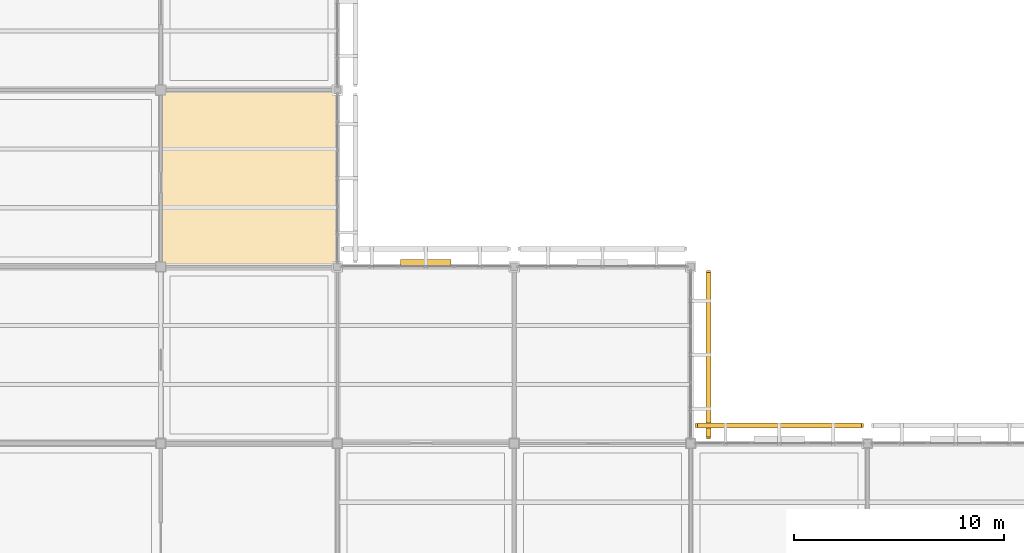
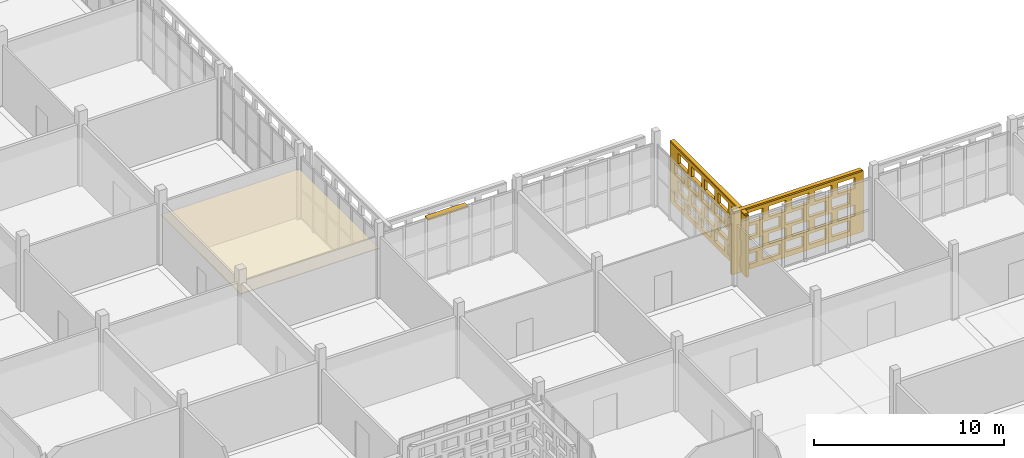
# One storey, part 146 of 203: 3 coverings, 3 shading devices, 40 openings.
"""IFC4 building model written with IfcOpenShell, lengths in metres."""

import ifcopenshell
import ifcopenshell.guid

model = None  # the IFC model being written
_history = None  # IfcOwnerHistory: only IFC2X3 demands one
_inside = {}  # id of a spatial element -> (the spatial element, [elements in it])
_under = {}  # id of a project, library or spatial element -> (it, [spatial elements below it])
_declared = {}  # id of a project -> (the project, [libraries it declares])
_typed = {}  # id of a type object -> (the type object, [elements of that type])
_made_of = {}  # id of a material, layer set ... -> (it, [elements and type objects made of it])


def new_model(schema):
    """Start an empty IFC model of exactly this schema.

    Asked for "IFC4X3", IfcOpenShell would pick the latest addendum, in which some entities
    have other attributes; the version numbers below select the first issue.
    IFC2X3 requires an IfcOwnerHistory on every rooted entity: one is made here for all.
    """
    global model, _history
    if schema == "IFC4X3":
        model = ifcopenshell.file(schema_version=(4, 3, 0, 0))
    else:
        model = ifcopenshell.file(schema=schema)
    _inside.clear()
    _under.clear()
    _declared.clear()
    _typed.clear()
    _made_of.clear()
    _history = None
    if model.schema == "IFC2X3":
        org = make("IfcOrganization", Name="unknown")
        user = make(
            "IfcPersonAndOrganization",
            ThePerson=make("IfcPerson", FamilyName="unknown"),
            TheOrganization=org,
        )
        app = make(
            "IfcApplication",
            ApplicationDeveloper=org,
            Version="unknown",
            ApplicationFullName="unknown",
            ApplicationIdentifier="unknown",
        )
        _history = make(
            "IfcOwnerHistory",
            OwningUser=user,
            OwningApplication=app,
            ChangeAction="ADDED",
            CreationDate=0,
        )
    return model


def make(cls, **values):
    """One entity of the class cls with the attributes given. An attribute that is None is left unset."""
    return model.create_entity(
        cls, **{name: value for name, value in values.items() if value is not None}
    )


def rooted(cls, **values):
    """An entity with a GlobalId (a new one), such as an element, a storey or a relation."""
    return make(cls, GlobalId=ifcopenshell.guid.new(), OwnerHistory=_history, **values)


def si_unit(unit_type, name, prefix=None):
    """IfcSIUnit, for example si_unit("LENGTHUNIT", "METRE", prefix="MILLI")."""
    return make("IfcSIUnit", UnitType=unit_type, Prefix=prefix, Name=name)


def assignment(units):
    """IfcUnitAssignment: the units of a project."""
    return None if units is None else make("IfcUnitAssignment", Units=units)


def point(xyz):
    """IfcCartesianPoint."""
    return None if xyz is None else make("IfcCartesianPoint", Coordinates=xyz)


def direction(xyz):
    """IfcDirection."""
    return None if xyz is None else make("IfcDirection", DirectionRatios=xyz)


def frame(location, z_axis=None, x_axis=None):
    """IfcAxis2Placement3D, a coordinate frame: its origin and axes. An axis left out is left unset."""
    return make(
        "IfcAxis2Placement3D",
        Location=point(location),
        Axis=direction(z_axis),
        RefDirection=direction(x_axis),
    )


def frame_2d(location, x_axis=None):
    """IfcAxis2Placement2D, a coordinate frame in the plane: its origin and x axis."""
    return make(
        "IfcAxis2Placement2D", Location=point(location), RefDirection=direction(x_axis)
    )


def origin():
    """The frame at (0, 0, 0) with its axes left unset."""
    return frame((0.0, 0.0, 0.0))


def origin_2d():
    """The frame at (0, 0) in the plane with its x axis left unset."""
    return frame_2d((0.0, 0.0))


def place(relative_to, where):
    """IfcLocalPlacement: puts the frame where relative to a parent placement (None: the world)."""
    return make(
        "IfcLocalPlacement", PlacementRelTo=relative_to, RelativePlacement=where
    )


def context(
    kind, dimensions, precision=None, world=None, true_north=None, identifier=None
):
    """IfcGeometricRepresentationContext, for example the 3D "Model" context."""
    return make(
        "IfcGeometricRepresentationContext",
        ContextIdentifier=identifier,
        ContextType=kind,
        CoordinateSpaceDimension=dimensions,
        Precision=precision,
        WorldCoordinateSystem=world,
        TrueNorth=true_north,
    )


def subcontext(parent, identifier, kind, view, scale=None):
    """IfcGeometricRepresentationSubContext, for example "Body" below "Model"."""
    return make(
        "IfcGeometricRepresentationSubContext",
        ContextIdentifier=identifier,
        ContextType=kind,
        ParentContext=parent,
        TargetScale=scale,
        TargetView=view,
    )


def project(units=None, contexts=None):
    """IfcProject with its units and contexts."""
    return rooted(
        "IfcProject",
        Name="project",
        RepresentationContexts=contexts,
        UnitsInContext=assignment(units),
    )


def spatial(cls, under=None, at=None, **own):
    """A site, building, storey or space (cls), placed at a placement, below another one or the project."""
    s = rooted(cls, ObjectPlacement=at, **own)
    if under is not None:
        _under.setdefault(under.id(), (under, []))[1].append(s)
    return s


def profile(cls, at=None, kind="AREA", **sizes):
    """A parametric profile (cls). Its sizes go by their IFC names, for example OverallWidth=200.0."""
    return make(cls, ProfileType=kind, Position=at, **sizes)


def rectangle(**sizes):
    """IfcRectangleProfileDef."""
    return profile("IfcRectangleProfileDef", **sizes)


def extrude(swept, where, along, depth):
    """IfcExtrudedAreaSolid: the profile swept, set in the frame where, extruded along a direction by depth."""
    return make(
        "IfcExtrudedAreaSolid",
        SweptArea=swept,
        Position=where,
        ExtrudedDirection=direction(along),
        Depth=depth,
    )


def shape(context_of_items, identifier, shape_type, items):
    """IfcShapeRepresentation: the items that make up one representation, for example the "Body"."""
    return make(
        "IfcShapeRepresentation",
        ContextOfItems=context_of_items,
        RepresentationIdentifier=identifier,
        RepresentationType=shape_type,
        Items=items,
    )


def material(Name=None, Category=None):
    """IfcMaterial."""
    return make("IfcMaterial", Name=Name, Category=Category)


def layer(
    of_material, thickness, ventilated=None, Name=None, Category=None, Priority=None
):
    """IfcMaterialLayer: one layer of a wall or slab, of a material (None: an air gap)."""
    return make(
        "IfcMaterialLayer",
        Material=of_material,
        LayerThickness=thickness,
        IsVentilated=ventilated,
        Name=Name,
        Category=Category,
        Priority=Priority,
    )


def layer_set(layers, Name=None):
    """IfcMaterialLayerSet."""
    return make("IfcMaterialLayerSet", MaterialLayers=layers, LayerSetName=Name)


def made_of(thing, what):
    """Note that an element or type object is made of a material, layer set ...; save() writes the relation."""
    if what is not None:
        _made_of.setdefault(what.id(), (what, []))[1].append(thing)
    return thing


def type_object(cls, material=None, **own):
    """A type object (cls), such as IfcWallType, which elements share."""
    return made_of(rooted(cls, **own), material)


def element(
    cls,
    number,
    at=None,
    inside=None,
    cuts=None,
    type_object=None,
    material=None,
    context=None,
    identifier="Body",
    shape_type=None,
    held_by="IfcProductDefinitionShape",
    body=None,
    shapes=None,
    **own,
):
    """One element of the class cls, such as IfcWall. Its Tag is "e" and its number.

    at: its placement. inside: the storey or other place that contains it. cuts: it is an
    opening in that element (IfcRelVoidsElement). A single representation is given by context,
    identifier, shape_type and body (its items); several are given by shapes. held_by: the class
    of the entity that holds the representations. save() writes the other relations.
    """
    e = rooted(cls, Tag="e%d" % number, ObjectPlacement=at, **own)
    if body is not None:
        shapes = [shape(context, identifier, shape_type, body)]
    if shapes is not None:
        e.Representation = make(held_by, Representations=shapes)
    if inside is not None:
        _inside.setdefault(inside.id(), (inside, []))[1].append(e)
    if cuts is not None:
        rooted(
            "IfcRelVoidsElement", RelatingBuildingElement=cuts, RelatedOpeningElement=e
        )
    if type_object is not None:
        _typed.setdefault(type_object.id(), (type_object, []))[1].append(e)
    return made_of(e, material)


def aggregate(whole, parts):
    """IfcRelAggregates: a whole, such as a stair, and the parts it consists of."""
    return rooted("IfcRelAggregates", RelatingObject=whole, RelatedObjects=parts)


def save(model, path):
    """Write the relations noted so far, then the file.

    IfcRelAggregates (storeys below a building ...), IfcRelContainedInSpatialStructure (elements
    in a storey), IfcRelDefinesByType, IfcRelAssociatesMaterial and IfcRelDeclares: one each for
    every whole, place, type object, material and project.
    """
    for whole, parts in _under.values():
        aggregate(whole, parts)
    for where, things in _inside.values():
        rooted(
            "IfcRelContainedInSpatialStructure",
            RelatedElements=things,
            RelatingStructure=where,
        )
    for kind, things in _typed.values():
        rooted("IfcRelDefinesByType", RelatedObjects=things, RelatingType=kind)
    for what, things in _made_of.values():
        rooted("IfcRelAssociatesMaterial", RelatedObjects=things, RelatingMaterial=what)
    for by, libraries in _declared.values():
        rooted("IfcRelDeclares", RelatingContext=by, RelatedDefinitions=libraries)
    model.write(path)


model = new_model("IFC4")

# Units and contexts
model_context = context("Model", 3, precision=1e-05, world=origin(), true_north=direction((0.0, 1.0)))
body_context = subcontext(model_context, "Body", "Model", "MODEL_VIEW")
ifc_project = project(units=[si_unit("LENGTHUNIT", "METRE"), si_unit("AREAUNIT", "SQUARE_METRE"), si_unit("VOLUMEUNIT", "CUBIC_METRE"), si_unit("PLANEANGLEUNIT", "RADIAN"), si_unit("MASSUNIT", "GRAM", prefix="KILO")], contexts=[model_context])

# Site, building, storey
site_placement = place(None, origin())
site = spatial("IfcSite", under=ifc_project, at=site_placement, CompositionType="ELEMENT")
building_placement = place(site_placement, origin())
building = spatial("IfcBuilding", under=site, at=building_placement, Name="Varnapada Polytechnic", CompositionType="ELEMENT")
storey_placement = place(building_placement, frame((0.0, 0.0, 4.800048828125)))
storey = spatial("IfcBuildingStorey", under=building, at=storey_placement, Name="L01", CompositionType="ELEMENT", Elevation=4.800048828125)

# Shading device
ifc_material_1 = material(Name="Anodised aluminium", Category="aluminium")
ifc_layer_1 = layer(ifc_material_1, 0.35009765625)
ifc_layer_set_1 = layer_set([ifc_layer_1], Name="Anodised aluminium")
shading_device_type_1 = type_object("IfcShadingDeviceType", Name="Solar Louvre LVR-01", PredefinedType="JALOUSIE", material=ifc_layer_set_1)
shading_device_1_placement = place(storey_placement, frame((46.199951171875, 50.580078125, 3.760009765625), z_axis=(0.0, 0.0, 1.0), x_axis=(1.0, 0.0, 0.0)))
element("IfcShadingDevice", 1, at=shading_device_1_placement, inside=storey, type_object=shading_device_type_1, Name="L01 aluminium sun louvre 40", PredefinedType="JALOUSIE", context=body_context, shape_type="SweptSolid", body=[
    extrude(rectangle(XDim=2.39990234375, YDim=0.340087890625, at=origin_2d()), origin(), (0.0, 0.0, 1.0), 0.1201171875),
])

# Covering
ifc_material_2 = material(Name="Micro-Perforated Gypsum Acoustic Ceiling")
ifc_layer_2 = layer(ifc_material_2, 0.044921875)
ifc_layer_set_2 = layer_set([ifc_layer_2], Name="Micro-Perforated Gypsum Acoustic Ceiling")
covering_type_1 = type_object("IfcCoveringType", Name="Suspended Ceiling CLG-04", PredefinedType="CEILING", material=ifc_layer_set_2)
covering_1_placement = place(storey_placement, frame((37.800048828125, 54.60009765625, 3.027587890625), z_axis=(0.0, 0.0, 1.0), x_axis=(1.0, 0.0, 0.0)))
element("IfcCovering", 2, at=covering_1_placement, inside=storey, type_object=covering_type_1, Name="L01 suspended acoustic ceiling (5,7)", PredefinedType="CEILING", context=body_context, shape_type="SweptSolid", body=[
    extrude(rectangle(XDim=8.419921875, YDim=8.419921875, at=origin_2d()), origin(), (0.0, 0.0, 1.0), 0.044921875),
])

# Covering, openings
ifc_material_3 = material(Name="Earth-toned architectural terracotta screen block", Category="masonry")
ifc_layer_3 = layer(ifc_material_3, 0.1201171875)
ifc_layer_set_3 = layer_set([ifc_layer_3], Name="Earth-toned architectural terracotta screen block")
covering_type_2 = type_object("IfcCoveringType", Name="Terracotta Screen Cladding CLD-01", PredefinedType="CLADDING", material=ifc_layer_set_3)
covering_2_placement = place(storey_placement, frame((59.64990234375, 50.219970703125, 0.0), z_axis=(0.0, 0.0, 1.0), x_axis=(0.0, -1.0, 0.0)))
covering_2 = element("IfcCovering", 3, at=covering_2_placement, inside=storey, type_object=covering_type_2, Name="L01 perforated terracotta block screen (47)", PredefinedType="CLADDING", context=body_context, shape_type="SweptSolid", body=[
    extrude(rectangle(XDim=8.010009765625, YDim=0.179931640625, at=frame_2d((4.0048828125, 0.0))), origin(), (0.0, 0.0, 1.0), 3.919921875),
])
opening_1_placement = place(covering_2_placement, frame((0.5048828125, 0.0, 0.313720703125)))
element("IfcOpeningElement", 4, at=opening_1_placement, cuts=covering_2, Name="Screen perforation TBS-L01-046.1", PredefinedType="OPENING", context=body_context, shape_type="SweptSolid", body=[
    extrude(rectangle(XDim=1.0400390625, YDim=0.679931640625, at=frame_2d((0.52001953125, 0.33984375))), frame((0.0, 0.099853515625, 0.0), z_axis=(0.0, -1.0, 0.0), x_axis=(1.0, 0.0, 0.0)), (0.0, 0.0, 1.0), 0.199951171875),
])
opening_2_placement = place(covering_2_placement, frame((1.905029296875, 0.0, 0.313720703125)))
element("IfcOpeningElement", 5, at=opening_2_placement, cuts=covering_2, Name="Screen perforation TBS-L01-046.2", PredefinedType="OPENING", context=body_context, shape_type="SweptSolid", body=[
    extrude(rectangle(XDim=1.0400390625, YDim=0.679931640625, at=frame_2d((0.52001953125, 0.33984375))), frame((0.0, 0.099853515625, 0.0), z_axis=(0.0, -1.0, 0.0), x_axis=(1.0, 0.0, 0.0)), (0.0, 0.0, 1.0), 0.199951171875),
])
opening_3_placement = place(covering_2_placement, frame((3.304931640625, 0.0, 0.313720703125)))
element("IfcOpeningElement", 6, at=opening_3_placement, cuts=covering_2, Name="Screen perforation TBS-L01-046.3", PredefinedType="OPENING", context=body_context, shape_type="SweptSolid", body=[
    extrude(rectangle(XDim=1.0400390625, YDim=0.679931640625, at=frame_2d((0.52001953125, 0.33984375))), frame((0.0, 0.099853515625, 0.0), z_axis=(0.0, -1.0, 0.0), x_axis=(1.0, 0.0, 0.0)), (0.0, 0.0, 1.0), 0.199951171875),
])
opening_4_placement = place(covering_2_placement, frame((4.705078125, 0.0, 0.313720703125)))
element("IfcOpeningElement", 7, at=opening_4_placement, cuts=covering_2, Name="Screen perforation TBS-L01-046.4", PredefinedType="OPENING", context=body_context, shape_type="SweptSolid", body=[
    extrude(rectangle(XDim=1.0400390625, YDim=0.679931640625, at=frame_2d((0.52001953125, 0.33984375))), frame((0.0, 0.099853515625, 0.0), z_axis=(0.0, -1.0, 0.0), x_axis=(1.0, 0.0, 0.0)), (0.0, 0.0, 1.0), 0.199951171875),
])
opening_5_placement = place(covering_2_placement, frame((6.10498046875, 0.0, 0.313720703125)))
element("IfcOpeningElement", 8, at=opening_5_placement, cuts=covering_2, Name="Screen perforation TBS-L01-046.5", PredefinedType="OPENING", context=body_context, shape_type="SweptSolid", body=[
    extrude(rectangle(XDim=1.0400390625, YDim=0.679931640625, at=frame_2d((0.52001953125, 0.33984375))), frame((0.0, 0.099853515625, 0.0), z_axis=(0.0, -1.0, 0.0), x_axis=(1.0, 0.0, 0.0)), (0.0, 0.0, 1.0), 0.199951171875),
])
opening_6_placement = place(covering_2_placement, frame((0.864990234375, 0.0, 1.195556640625)))
element("IfcOpeningElement", 9, at=opening_6_placement, cuts=covering_2, Name="Screen perforation TBS-L01-046.6", PredefinedType="OPENING", context=body_context, shape_type="SweptSolid", body=[
    extrude(rectangle(XDim=1.0400390625, YDim=0.679931640625, at=frame_2d((0.52001953125, 0.33984375))), frame((0.0, 0.099853515625, 0.0), z_axis=(0.0, -1.0, 0.0), x_axis=(1.0, 0.0, 0.0)), (0.0, 0.0, 1.0), 0.199951171875),
])
opening_7_placement = place(covering_2_placement, frame((2.264892578125, 0.0, 1.195556640625)))
element("IfcOpeningElement", 10, at=opening_7_placement, cuts=covering_2, Name="Screen perforation TBS-L01-046.7", PredefinedType="OPENING", context=body_context, shape_type="SweptSolid", body=[
    extrude(rectangle(XDim=1.0400390625, YDim=0.679931640625, at=frame_2d((0.52001953125, 0.33984375))), frame((0.0, 0.099853515625, 0.0), z_axis=(0.0, -1.0, 0.0), x_axis=(1.0, 0.0, 0.0)), (0.0, 0.0, 1.0), 0.199951171875),
])
opening_8_placement = place(covering_2_placement, frame((3.6650390625, 0.0, 1.195556640625)))
element("IfcOpeningElement", 11, at=opening_8_placement, cuts=covering_2, Name="Screen perforation TBS-L01-046.8", PredefinedType="OPENING", context=body_context, shape_type="SweptSolid", body=[
    extrude(rectangle(XDim=1.0400390625, YDim=0.679931640625, at=frame_2d((0.52001953125, 0.33984375))), frame((0.0, 0.099853515625, 0.0), z_axis=(0.0, -1.0, 0.0), x_axis=(1.0, 0.0, 0.0)), (0.0, 0.0, 1.0), 0.199951171875),
])
opening_9_placement = place(covering_2_placement, frame((5.06494140625, 0.0, 1.195556640625)))
element("IfcOpeningElement", 12, at=opening_9_placement, cuts=covering_2, Name="Screen perforation TBS-L01-046.9", PredefinedType="OPENING", context=body_context, shape_type="SweptSolid", body=[
    extrude(rectangle(XDim=1.0400390625, YDim=0.679931640625, at=frame_2d((0.52001953125, 0.33984375))), frame((0.0, 0.099853515625, 0.0), z_axis=(0.0, -1.0, 0.0), x_axis=(1.0, 0.0, 0.0)), (0.0, 0.0, 1.0), 0.199951171875),
])
opening_10_placement = place(covering_2_placement, frame((6.465087890625, 0.0, 1.195556640625)))
element("IfcOpeningElement", 13, at=opening_10_placement, cuts=covering_2, Name="Screen perforation TBS-L01-046.10", PredefinedType="OPENING", context=body_context, shape_type="SweptSolid", body=[
    extrude(rectangle(XDim=1.0400390625, YDim=0.679931640625, at=frame_2d((0.52001953125, 0.33984375))), frame((0.0, 0.099853515625, 0.0), z_axis=(0.0, -1.0, 0.0), x_axis=(1.0, 0.0, 0.0)), (0.0, 0.0, 1.0), 0.199951171875),
])
opening_11_placement = place(covering_2_placement, frame((0.5048828125, 0.0, 2.07763671875)))
element("IfcOpeningElement", 14, at=opening_11_placement, cuts=covering_2, Name="Screen perforation TBS-L01-046.11", PredefinedType="OPENING", context=body_context, shape_type="SweptSolid", body=[
    extrude(rectangle(XDim=1.0400390625, YDim=0.679931640625, at=frame_2d((0.52001953125, 0.33984375))), frame((0.0, 0.099853515625, 0.0), z_axis=(0.0, -1.0, 0.0), x_axis=(1.0, 0.0, 0.0)), (0.0, 0.0, 1.0), 0.199951171875),
])
opening_12_placement = place(covering_2_placement, frame((1.905029296875, 0.0, 2.07763671875)))
element("IfcOpeningElement", 15, at=opening_12_placement, cuts=covering_2, Name="Screen perforation TBS-L01-046.12", PredefinedType="OPENING", context=body_context, shape_type="SweptSolid", body=[
    extrude(rectangle(XDim=1.0400390625, YDim=0.679931640625, at=frame_2d((0.52001953125, 0.33984375))), frame((0.0, 0.099853515625, 0.0), z_axis=(0.0, -1.0, 0.0), x_axis=(1.0, 0.0, 0.0)), (0.0, 0.0, 1.0), 0.199951171875),
])
opening_13_placement = place(covering_2_placement, frame((3.304931640625, 0.0, 2.07763671875)))
element("IfcOpeningElement", 16, at=opening_13_placement, cuts=covering_2, Name="Screen perforation TBS-L01-046.13", PredefinedType="OPENING", context=body_context, shape_type="SweptSolid", body=[
    extrude(rectangle(XDim=1.0400390625, YDim=0.679931640625, at=frame_2d((0.52001953125, 0.33984375))), frame((0.0, 0.099853515625, 0.0), z_axis=(0.0, -1.0, 0.0), x_axis=(1.0, 0.0, 0.0)), (0.0, 0.0, 1.0), 0.199951171875),
])
opening_14_placement = place(covering_2_placement, frame((4.705078125, 0.0, 2.07763671875)))
element("IfcOpeningElement", 17, at=opening_14_placement, cuts=covering_2, Name="Screen perforation TBS-L01-046.14", PredefinedType="OPENING", context=body_context, shape_type="SweptSolid", body=[
    extrude(rectangle(XDim=1.0400390625, YDim=0.679931640625, at=frame_2d((0.52001953125, 0.33984375))), frame((0.0, 0.099853515625, 0.0), z_axis=(0.0, -1.0, 0.0), x_axis=(1.0, 0.0, 0.0)), (0.0, 0.0, 1.0), 0.199951171875),
])
opening_15_placement = place(covering_2_placement, frame((6.10498046875, 0.0, 2.07763671875)))
element("IfcOpeningElement", 18, at=opening_15_placement, cuts=covering_2, Name="Screen perforation TBS-L01-046.15", PredefinedType="OPENING", context=body_context, shape_type="SweptSolid", body=[
    extrude(rectangle(XDim=1.0400390625, YDim=0.679931640625, at=frame_2d((0.52001953125, 0.33984375))), frame((0.0, 0.099853515625, 0.0), z_axis=(0.0, -1.0, 0.0), x_axis=(1.0, 0.0, 0.0)), (0.0, 0.0, 1.0), 0.199951171875),
])
opening_16_placement = place(covering_2_placement, frame((0.864990234375, 0.0, 2.959716796875)))
element("IfcOpeningElement", 19, at=opening_16_placement, cuts=covering_2, Name="Screen perforation TBS-L01-046.16", PredefinedType="OPENING", context=body_context, shape_type="SweptSolid", body=[
    extrude(rectangle(XDim=1.0400390625, YDim=0.679931640625, at=frame_2d((0.52001953125, 0.33984375))), frame((0.0, 0.099853515625, 0.0), z_axis=(0.0, -1.0, 0.0), x_axis=(1.0, 0.0, 0.0)), (0.0, 0.0, 1.0), 0.199951171875),
])
opening_17_placement = place(covering_2_placement, frame((2.264892578125, 0.0, 2.959716796875)))
element("IfcOpeningElement", 20, at=opening_17_placement, cuts=covering_2, Name="Screen perforation TBS-L01-046.17", PredefinedType="OPENING", context=body_context, shape_type="SweptSolid", body=[
    extrude(rectangle(XDim=1.0400390625, YDim=0.679931640625, at=frame_2d((0.52001953125, 0.33984375))), frame((0.0, 0.099853515625, 0.0), z_axis=(0.0, -1.0, 0.0), x_axis=(1.0, 0.0, 0.0)), (0.0, 0.0, 1.0), 0.199951171875),
])
opening_18_placement = place(covering_2_placement, frame((3.6650390625, 0.0, 2.959716796875)))
element("IfcOpeningElement", 21, at=opening_18_placement, cuts=covering_2, Name="Screen perforation TBS-L01-046.18", PredefinedType="OPENING", context=body_context, shape_type="SweptSolid", body=[
    extrude(rectangle(XDim=1.0400390625, YDim=0.679931640625, at=frame_2d((0.52001953125, 0.33984375))), frame((0.0, 0.099853515625, 0.0), z_axis=(0.0, -1.0, 0.0), x_axis=(1.0, 0.0, 0.0)), (0.0, 0.0, 1.0), 0.199951171875),
])
opening_19_placement = place(covering_2_placement, frame((5.06494140625, 0.0, 2.959716796875)))
element("IfcOpeningElement", 22, at=opening_19_placement, cuts=covering_2, Name="Screen perforation TBS-L01-046.19", PredefinedType="OPENING", context=body_context, shape_type="SweptSolid", body=[
    extrude(rectangle(XDim=1.0400390625, YDim=0.679931640625, at=frame_2d((0.52001953125, 0.33984375))), frame((0.0, 0.099853515625, 0.0), z_axis=(0.0, -1.0, 0.0), x_axis=(1.0, 0.0, 0.0)), (0.0, 0.0, 1.0), 0.199951171875),
])
opening_20_placement = place(covering_2_placement, frame((6.465087890625, 0.0, 2.959716796875)))
element("IfcOpeningElement", 23, at=opening_20_placement, cuts=covering_2, Name="Screen perforation TBS-L01-046.20", PredefinedType="OPENING", context=body_context, shape_type="SweptSolid", body=[
    extrude(rectangle(XDim=1.0400390625, YDim=0.679931640625, at=frame_2d((0.52001953125, 0.33984375))), frame((0.0, 0.099853515625, 0.0), z_axis=(0.0, -1.0, 0.0), x_axis=(1.0, 0.0, 0.0)), (0.0, 0.0, 1.0), 0.199951171875),
])

covering_3_placement = place(storey_placement, frame((59.010009765625, 42.85009765625, 0.0), z_axis=(0.0, 0.0, 1.0), x_axis=(1.0, 0.0, 0.0)))
covering_3 = element("IfcCovering", 24, at=covering_3_placement, inside=storey, type_object=covering_type_2, Name="L01 perforated terracotta block screen (55)", PredefinedType="CLADDING", context=body_context, shape_type="SweptSolid", body=[
    extrude(rectangle(XDim=8.0, YDim=0.179931640625, at=frame_2d((4.0, 0.0))), origin(), (0.0, 0.0, 1.0), 3.919921875),
])
opening_21_placement = place(covering_3_placement, frame((0.5, 0.0, 0.313720703125)))
element("IfcOpeningElement", 25, at=opening_21_placement, cuts=covering_3, Name="Screen perforation TBS-L01-054.1", PredefinedType="OPENING", context=body_context, shape_type="SweptSolid", body=[
    extrude(rectangle(XDim=1.0400390625, YDim=0.679931640625, at=frame_2d((0.52001953125, 0.33984375))), frame((0.0, 0.099853515625, 0.0), z_axis=(0.0, -1.0, 0.0), x_axis=(1.0, 0.0, 0.0)), (0.0, 0.0, 1.0), 0.199951171875),
])
opening_22_placement = place(covering_3_placement, frame((1.89990234375, 0.0, 0.313720703125)))
element("IfcOpeningElement", 26, at=opening_22_placement, cuts=covering_3, Name="Screen perforation TBS-L01-054.2", PredefinedType="OPENING", context=body_context, shape_type="SweptSolid", body=[
    extrude(rectangle(XDim=1.0400390625, YDim=0.679931640625, at=frame_2d((0.52001953125, 0.33984375))), frame((0.0, 0.099853515625, 0.0), z_axis=(0.0, -1.0, 0.0), x_axis=(1.0, 0.0, 0.0)), (0.0, 0.0, 1.0), 0.199951171875),
])
opening_23_placement = place(covering_3_placement, frame((3.300048828125, 0.0, 0.313720703125)))
element("IfcOpeningElement", 27, at=opening_23_placement, cuts=covering_3, Name="Screen perforation TBS-L01-054.3", PredefinedType="OPENING", context=body_context, shape_type="SweptSolid", body=[
    extrude(rectangle(XDim=1.0400390625, YDim=0.679931640625, at=frame_2d((0.52001953125, 0.33984375))), frame((0.0, 0.099853515625, 0.0), z_axis=(0.0, -1.0, 0.0), x_axis=(1.0, 0.0, 0.0)), (0.0, 0.0, 1.0), 0.199951171875),
])
opening_24_placement = place(covering_3_placement, frame((4.699951171875, 0.0, 0.313720703125)))
element("IfcOpeningElement", 28, at=opening_24_placement, cuts=covering_3, Name="Screen perforation TBS-L01-054.4", PredefinedType="OPENING", context=body_context, shape_type="SweptSolid", body=[
    extrude(rectangle(XDim=1.0400390625, YDim=0.679931640625, at=frame_2d((0.52001953125, 0.33984375))), frame((0.0, 0.099853515625, 0.0), z_axis=(0.0, -1.0, 0.0), x_axis=(1.0, 0.0, 0.0)), (0.0, 0.0, 1.0), 0.199951171875),
])
opening_25_placement = place(covering_3_placement, frame((6.10009765625, 0.0, 0.313720703125)))
element("IfcOpeningElement", 29, at=opening_25_placement, cuts=covering_3, Name="Screen perforation TBS-L01-054.5", PredefinedType="OPENING", context=body_context, shape_type="SweptSolid", body=[
    extrude(rectangle(XDim=1.0400390625, YDim=0.679931640625, at=frame_2d((0.52001953125, 0.33984375))), frame((0.0, 0.099853515625, 0.0), z_axis=(0.0, -1.0, 0.0), x_axis=(1.0, 0.0, 0.0)), (0.0, 0.0, 1.0), 0.199951171875),
])
opening_26_placement = place(covering_3_placement, frame((0.860107421875, 0.0, 1.195556640625)))
element("IfcOpeningElement", 30, at=opening_26_placement, cuts=covering_3, Name="Screen perforation TBS-L01-054.6", PredefinedType="OPENING", context=body_context, shape_type="SweptSolid", body=[
    extrude(rectangle(XDim=1.0400390625, YDim=0.679931640625, at=frame_2d((0.52001953125, 0.33984375))), frame((0.0, 0.099853515625, 0.0), z_axis=(0.0, -1.0, 0.0), x_axis=(1.0, 0.0, 0.0)), (0.0, 0.0, 1.0), 0.199951171875),
])
opening_27_placement = place(covering_3_placement, frame((2.260009765625, 0.0, 1.195556640625)))
element("IfcOpeningElement", 31, at=opening_27_placement, cuts=covering_3, Name="Screen perforation TBS-L01-054.7", PredefinedType="OPENING", context=body_context, shape_type="SweptSolid", body=[
    extrude(rectangle(XDim=1.0400390625, YDim=0.679931640625, at=frame_2d((0.52001953125, 0.33984375))), frame((0.0, 0.099853515625, 0.0), z_axis=(0.0, -1.0, 0.0), x_axis=(1.0, 0.0, 0.0)), (0.0, 0.0, 1.0), 0.199951171875),
])
opening_28_placement = place(covering_3_placement, frame((3.659912109375, 0.0, 1.195556640625)))
element("IfcOpeningElement", 32, at=opening_28_placement, cuts=covering_3, Name="Screen perforation TBS-L01-054.8", PredefinedType="OPENING", context=body_context, shape_type="SweptSolid", body=[
    extrude(rectangle(XDim=1.0400390625, YDim=0.679931640625, at=frame_2d((0.52001953125, 0.33984375))), frame((0.0, 0.099853515625, 0.0), z_axis=(0.0, -1.0, 0.0), x_axis=(1.0, 0.0, 0.0)), (0.0, 0.0, 1.0), 0.199951171875),
])
opening_29_placement = place(covering_3_placement, frame((5.06005859375, 0.0, 1.195556640625)))
element("IfcOpeningElement", 33, at=opening_29_placement, cuts=covering_3, Name="Screen perforation TBS-L01-054.9", PredefinedType="OPENING", context=body_context, shape_type="SweptSolid", body=[
    extrude(rectangle(XDim=1.0400390625, YDim=0.679931640625, at=frame_2d((0.52001953125, 0.33984375))), frame((0.0, 0.099853515625, 0.0), z_axis=(0.0, -1.0, 0.0), x_axis=(1.0, 0.0, 0.0)), (0.0, 0.0, 1.0), 0.199951171875),
])
opening_30_placement = place(covering_3_placement, frame((6.4599609375, 0.0, 1.195556640625)))
element("IfcOpeningElement", 34, at=opening_30_placement, cuts=covering_3, Name="Screen perforation TBS-L01-054.10", PredefinedType="OPENING", context=body_context, shape_type="SweptSolid", body=[
    extrude(rectangle(XDim=1.0400390625, YDim=0.679931640625, at=frame_2d((0.52001953125, 0.33984375))), frame((0.0, 0.099853515625, 0.0), z_axis=(0.0, -1.0, 0.0), x_axis=(1.0, 0.0, 0.0)), (0.0, 0.0, 1.0), 0.199951171875),
])
opening_31_placement = place(covering_3_placement, frame((0.5, 0.0, 2.07763671875)))
element("IfcOpeningElement", 35, at=opening_31_placement, cuts=covering_3, Name="Screen perforation TBS-L01-054.11", PredefinedType="OPENING", context=body_context, shape_type="SweptSolid", body=[
    extrude(rectangle(XDim=1.0400390625, YDim=0.679931640625, at=frame_2d((0.52001953125, 0.33984375))), frame((0.0, 0.099853515625, 0.0), z_axis=(0.0, -1.0, 0.0), x_axis=(1.0, 0.0, 0.0)), (0.0, 0.0, 1.0), 0.199951171875),
])
opening_32_placement = place(covering_3_placement, frame((1.89990234375, 0.0, 2.07763671875)))
element("IfcOpeningElement", 36, at=opening_32_placement, cuts=covering_3, Name="Screen perforation TBS-L01-054.12", PredefinedType="OPENING", context=body_context, shape_type="SweptSolid", body=[
    extrude(rectangle(XDim=1.0400390625, YDim=0.679931640625, at=frame_2d((0.52001953125, 0.33984375))), frame((0.0, 0.099853515625, 0.0), z_axis=(0.0, -1.0, 0.0), x_axis=(1.0, 0.0, 0.0)), (0.0, 0.0, 1.0), 0.199951171875),
])
opening_33_placement = place(covering_3_placement, frame((3.300048828125, 0.0, 2.07763671875)))
element("IfcOpeningElement", 37, at=opening_33_placement, cuts=covering_3, Name="Screen perforation TBS-L01-054.13", PredefinedType="OPENING", context=body_context, shape_type="SweptSolid", body=[
    extrude(rectangle(XDim=1.0400390625, YDim=0.679931640625, at=frame_2d((0.52001953125, 0.33984375))), frame((0.0, 0.099853515625, 0.0), z_axis=(0.0, -1.0, 0.0), x_axis=(1.0, 0.0, 0.0)), (0.0, 0.0, 1.0), 0.199951171875),
])
opening_34_placement = place(covering_3_placement, frame((4.699951171875, 0.0, 2.07763671875)))
element("IfcOpeningElement", 38, at=opening_34_placement, cuts=covering_3, Name="Screen perforation TBS-L01-054.14", PredefinedType="OPENING", context=body_context, shape_type="SweptSolid", body=[
    extrude(rectangle(XDim=1.0400390625, YDim=0.679931640625, at=frame_2d((0.52001953125, 0.33984375))), frame((0.0, 0.099853515625, 0.0), z_axis=(0.0, -1.0, 0.0), x_axis=(1.0, 0.0, 0.0)), (0.0, 0.0, 1.0), 0.199951171875),
])
opening_35_placement = place(covering_3_placement, frame((6.10009765625, 0.0, 2.07763671875)))
element("IfcOpeningElement", 39, at=opening_35_placement, cuts=covering_3, Name="Screen perforation TBS-L01-054.15", PredefinedType="OPENING", context=body_context, shape_type="SweptSolid", body=[
    extrude(rectangle(XDim=1.0400390625, YDim=0.679931640625, at=frame_2d((0.52001953125, 0.33984375))), frame((0.0, 0.099853515625, 0.0), z_axis=(0.0, -1.0, 0.0), x_axis=(1.0, 0.0, 0.0)), (0.0, 0.0, 1.0), 0.199951171875),
])
opening_36_placement = place(covering_3_placement, frame((0.860107421875, 0.0, 2.959716796875)))
element("IfcOpeningElement", 40, at=opening_36_placement, cuts=covering_3, Name="Screen perforation TBS-L01-054.16", PredefinedType="OPENING", context=body_context, shape_type="SweptSolid", body=[
    extrude(rectangle(XDim=1.0400390625, YDim=0.679931640625, at=frame_2d((0.52001953125, 0.33984375))), frame((0.0, 0.099853515625, 0.0), z_axis=(0.0, -1.0, 0.0), x_axis=(1.0, 0.0, 0.0)), (0.0, 0.0, 1.0), 0.199951171875),
])
opening_37_placement = place(covering_3_placement, frame((2.260009765625, 0.0, 2.959716796875)))
element("IfcOpeningElement", 41, at=opening_37_placement, cuts=covering_3, Name="Screen perforation TBS-L01-054.17", PredefinedType="OPENING", context=body_context, shape_type="SweptSolid", body=[
    extrude(rectangle(XDim=1.0400390625, YDim=0.679931640625, at=frame_2d((0.52001953125, 0.33984375))), frame((0.0, 0.099853515625, 0.0), z_axis=(0.0, -1.0, 0.0), x_axis=(1.0, 0.0, 0.0)), (0.0, 0.0, 1.0), 0.199951171875),
])
opening_38_placement = place(covering_3_placement, frame((3.659912109375, 0.0, 2.959716796875)))
element("IfcOpeningElement", 42, at=opening_38_placement, cuts=covering_3, Name="Screen perforation TBS-L01-054.18", PredefinedType="OPENING", context=body_context, shape_type="SweptSolid", body=[
    extrude(rectangle(XDim=1.0400390625, YDim=0.679931640625, at=frame_2d((0.52001953125, 0.33984375))), frame((0.0, 0.099853515625, 0.0), z_axis=(0.0, -1.0, 0.0), x_axis=(1.0, 0.0, 0.0)), (0.0, 0.0, 1.0), 0.199951171875),
])
opening_39_placement = place(covering_3_placement, frame((5.06005859375, 0.0, 2.959716796875)))
element("IfcOpeningElement", 43, at=opening_39_placement, cuts=covering_3, Name="Screen perforation TBS-L01-054.19", PredefinedType="OPENING", context=body_context, shape_type="SweptSolid", body=[
    extrude(rectangle(XDim=1.0400390625, YDim=0.679931640625, at=frame_2d((0.52001953125, 0.33984375))), frame((0.0, 0.099853515625, 0.0), z_axis=(0.0, -1.0, 0.0), x_axis=(1.0, 0.0, 0.0)), (0.0, 0.0, 1.0), 0.199951171875),
])
opening_40_placement = place(covering_3_placement, frame((6.4599609375, 0.0, 2.959716796875)))
element("IfcOpeningElement", 44, at=opening_40_placement, cuts=covering_3, Name="Screen perforation TBS-L01-054.20", PredefinedType="OPENING", context=body_context, shape_type="SweptSolid", body=[
    extrude(rectangle(XDim=1.0400390625, YDim=0.679931640625, at=frame_2d((0.52001953125, 0.33984375))), frame((0.0, 0.099853515625, 0.0), z_axis=(0.0, -1.0, 0.0), x_axis=(1.0, 0.0, 0.0)), (0.0, 0.0, 1.0), 0.199951171875),
])

# Shading devices
ifc_layer_4 = layer(ifc_material_3, 0.179931640625)
ifc_layer_set_4 = layer_set([ifc_layer_4], Name="Earth-toned architectural terracotta screen block")
shading_device_type_2 = type_object("IfcShadingDeviceType", Name="Terracotta Screen SCR-02", PredefinedType="USERDEFINED", material=ifc_layer_set_4)
shading_device_2_placement = place(storey_placement, frame((59.64990234375, 46.215087890625, 3.909912109375), z_axis=(0.0, 0.0, 1.0), x_axis=(0.0, -1.0, 0.0)))
element("IfcShadingDevice", 45, at=shading_device_2_placement, inside=storey, type_object=shading_device_type_2, Name="L01 perforated terracotta screen hood 128", ObjectType="SCREEN", PredefinedType="USERDEFINED", context=body_context, shape_type="SweptSolid", body=[
    extrude(rectangle(XDim=7.81005859375, YDim=0.239990234375, at=origin_2d()), origin(), (0.0, 0.0, 1.0), 0.10009765625),
])
shading_device_3_placement = place(storey_placement, frame((63.010009765625, 42.85009765625, 3.909912109375), z_axis=(0.0, 0.0, 1.0), x_axis=(1.0, 0.0, 0.0)))
element("IfcShadingDevice", 46, at=shading_device_3_placement, inside=storey, type_object=shading_device_type_2, Name="L01 perforated terracotta screen hood 134", ObjectType="SCREEN", PredefinedType="USERDEFINED", context=body_context, shape_type="SweptSolid", body=[
    extrude(rectangle(XDim=7.800048828125, YDim=0.239990234375, at=origin_2d()), origin(), (0.0, 0.0, 1.0), 0.10009765625),
])

save(model, "model.ifc")
